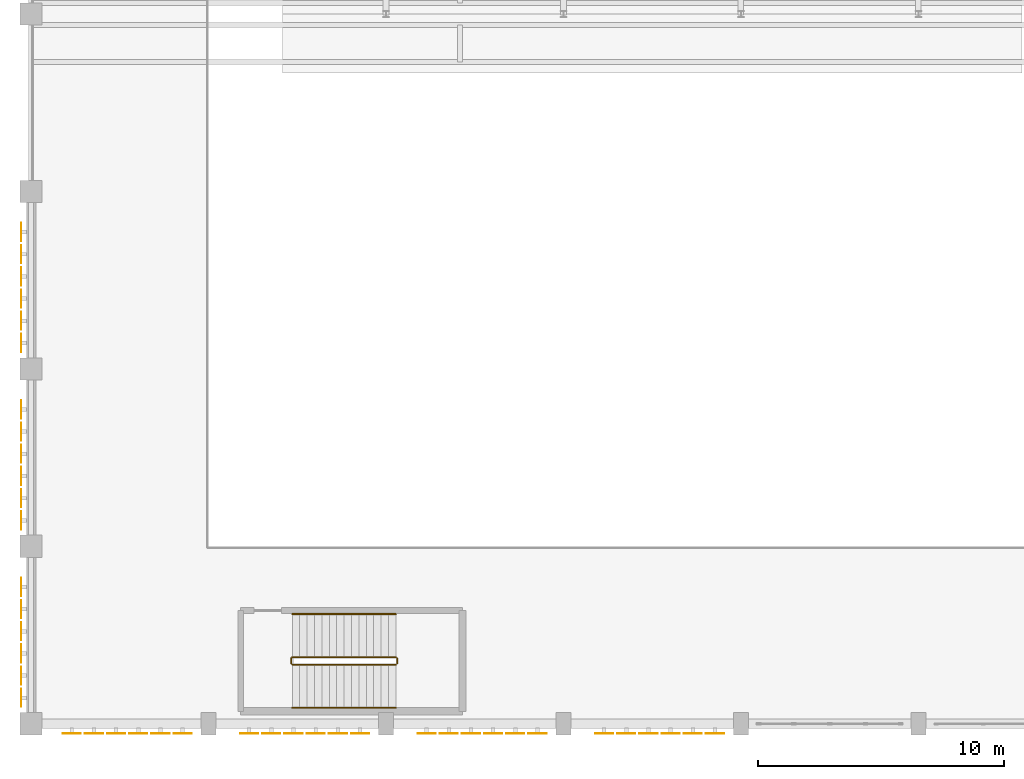
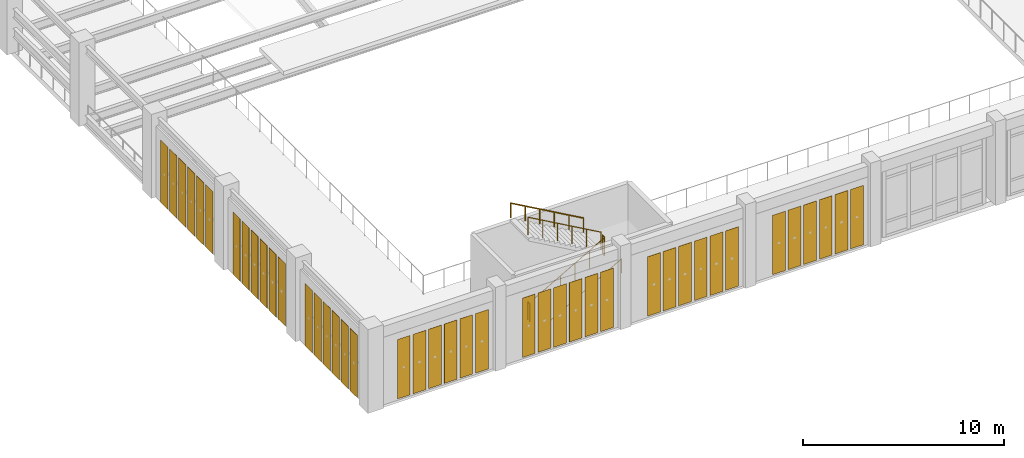
# One storey, part 100 of 117: 42 coverings, 6 railings.
"""IFC4 building model written with IfcOpenShell, lengths in metres."""

from ifc_helpers import new_model, si_unit, direction, frame, origin, origin_2d, place, context, subcontext, project, spatial, rectangle, circle, extrude, material, layer, layer_set, type_object, element, save


model = new_model("IFC4")

# Units and contexts
model_context = context("Model", 3, precision=1e-05, world=origin(), true_north=direction((0.0, 1.0)))
body_context = subcontext(model_context, "Body", "Model", "MODEL_VIEW")
ifc_project = project(units=[si_unit("LENGTHUNIT", "METRE"), si_unit("AREAUNIT", "SQUARE_METRE"), si_unit("VOLUMEUNIT", "CUBIC_METRE"), si_unit("PLANEANGLEUNIT", "RADIAN"), si_unit("MASSUNIT", "GRAM", prefix="KILO")], contexts=[model_context])

# Site, building, storey
site_placement = place(None, origin())
site = spatial("IfcSite", under=ifc_project, at=site_placement, CompositionType="ELEMENT")
building_placement = place(site_placement, origin())
building = spatial("IfcBuilding", under=site, at=building_placement, Name="Carrowvane Square Congress Hotel", CompositionType="ELEMENT")
storey_placement = place(building_placement, frame((0.0, 0.0, 5.39990234375)))
storey = spatial("IfcBuildingStorey", under=building, at=storey_placement, Name="L01", CompositionType="ELEMENT", Elevation=5.39990234375)

# Coverings
ifc_material_1 = material(Name="Champagne-gold anodised aluminium", Category="aluminium")
ifc_layer_1 = layer(ifc_material_1, 0.008056640625)
ifc_layer_set_1 = layer_set([ifc_layer_1], Name="Champagne-gold anodised aluminium")
covering_type = type_object("IfcCoveringType", Name="COV-SCR-GOLD8", PredefinedType="CLADDING", material=ifc_layer_set_1)
for number, where, z_axis, x_axis, name in (
    (1, (11.2060546875, 6.449951171875, 0.25), (0.0, 0.0, 1.0), (0.0, 1.0, 0.0), "Champagne-gold perforated screen panel 1"),
    (2, (11.2060546875, 7.35009765625, 0.25), (0.0, 0.0, 1.0), (0.0, 1.0, 0.0), "Champagne-gold perforated screen panel 2"),
    (3, (11.2060546875, 8.25, 0.25), (0.0, 0.0, 1.0), (0.0, 1.0, 0.0), "Champagne-gold perforated screen panel 3"),
    (4, (11.2060546875, 9.14990234375, 0.25), (0.0, 0.0, 1.0), (0.0, 1.0, 0.0), "Champagne-gold perforated screen panel 4"),
    (5, (11.2060546875, 10.050048828125, 0.25), (0.0, 0.0, 1.0), (0.0, 1.0, 0.0), "Champagne-gold perforated screen panel 5"),
    (6, (11.2060546875, 10.949951171875, 0.25), (0.0, 0.0, 1.0), (0.0, 1.0, 0.0), "Champagne-gold perforated screen panel 6"),
    (7, (11.2060546875, 13.64990234375, 0.25), (0.0, 0.0, 1.0), (0.0, 1.0, 0.0), "Champagne-gold perforated screen panel 7"),
    (8, (11.2060546875, 14.550048828125, 0.25), (0.0, 0.0, 1.0), (0.0, 1.0, 0.0), "Champagne-gold perforated screen panel 8"),
    (9, (11.2060546875, 15.449951171875, 0.25), (0.0, 0.0, 1.0), (0.0, 1.0, 0.0), "Champagne-gold perforated screen panel 9"),
    (10, (11.2060546875, 16.35009765625, 0.25), (0.0, 0.0, 1.0), (0.0, 1.0, 0.0), "Champagne-gold perforated screen panel 10"),
    (11, (11.2060546875, 17.25, 0.25), (0.0, 0.0, 1.0), (0.0, 1.0, 0.0), "Champagne-gold perforated screen panel 11"),
    (12, (11.2060546875, 18.14990234375, 0.25), (0.0, 0.0, 1.0), (0.0, 1.0, 0.0), "Champagne-gold perforated screen panel 12"),
    (13, (11.2060546875, 20.85009765625, 0.25), (0.0, 0.0, 1.0), (0.0, 1.0, 0.0), "Champagne-gold perforated screen panel 13"),
    (14, (11.2060546875, 21.75, 0.25), (0.0, 0.0, 1.0), (0.0, 1.0, 0.0), "Champagne-gold perforated screen panel 14"),
    (15, (11.2060546875, 22.64990234375, 0.25), (0.0, 0.0, 1.0), (0.0, 1.0, 0.0), "Champagne-gold perforated screen panel 15"),
    (16, (11.2060546875, 23.550048828125, 0.25), (0.0, 0.0, 1.0), (0.0, 1.0, 0.0), "Champagne-gold perforated screen panel 16"),
    (17, (11.2060546875, 24.449951171875, 0.25), (0.0, 0.0, 1.0), (0.0, 1.0, 0.0), "Champagne-gold perforated screen panel 17"),
    (18, (11.2060546875, 25.35009765625, 0.25), (0.0, 0.0, 1.0), (0.0, 1.0, 0.0), "Champagne-gold perforated screen panel 18"),
):
    element("IfcCovering", number, at=place(storey_placement, frame(where, z_axis=z_axis, x_axis=x_axis)), inside=storey, type_object=covering_type, Name=name, PredefinedType="CLADDING", context=body_context, shape_type="SweptSolid", body=[
        extrude(rectangle(XDim=0.738037109375, YDim=0.008056640625, at=origin_2d()), origin(), (0.0, 0.0, 1.0), 3.804931640625),
    ])
for number, where, z_axis, x_axis, name in (
    (19, (39.35009765625, 5.006103515625, 0.25), (0.0, 0.0, 1.0), (-1.0, 0.0, 0.0), "Champagne-gold perforated screen panel 19"),
    (20, (38.449951171875, 5.006103515625, 0.25), (0.0, 0.0, 1.0), (-1.0, 0.0, 0.0), "Champagne-gold perforated screen panel 20"),
    (21, (37.550048828125, 5.006103515625, 0.25), (0.0, 0.0, 1.0), (-1.0, 0.0, 0.0), "Champagne-gold perforated screen panel 21"),
    (22, (36.64990234375, 5.006103515625, 0.25), (0.0, 0.0, 1.0), (-1.0, 0.0, 0.0), "Champagne-gold perforated screen panel 22"),
    (23, (35.75, 5.006103515625, 0.25), (0.0, 0.0, 1.0), (-1.0, 0.0, 0.0), "Champagne-gold perforated screen panel 23"),
    (24, (34.85009765625, 5.006103515625, 0.25), (0.0, 0.0, 1.0), (-1.0, 0.0, 0.0), "Champagne-gold perforated screen panel 24"),
    (25, (32.14990234375, 5.006103515625, 0.25), (0.0, 0.0, 1.0), (-1.0, 0.0, 0.0), "Champagne-gold perforated screen panel 25"),
    (26, (31.25, 5.006103515625, 0.25), (0.0, 0.0, 1.0), (-1.0, 0.0, 0.0), "Champagne-gold perforated screen panel 26"),
    (27, (30.35009765625, 5.006103515625, 0.25), (0.0, 0.0, 1.0), (-1.0, 0.0, 0.0), "Champagne-gold perforated screen panel 27"),
    (28, (29.449951171875, 5.006103515625, 0.25), (0.0, 0.0, 1.0), (-1.0, 0.0, 0.0), "Champagne-gold perforated screen panel 28"),
    (29, (28.550048828125, 5.006103515625, 0.25), (0.0, 0.0, 1.0), (-1.0, 0.0, 0.0), "Champagne-gold perforated screen panel 29"),
    (30, (27.64990234375, 5.006103515625, 0.25), (0.0, 0.0, 1.0), (-1.0, 0.0, 0.0), "Champagne-gold perforated screen panel 30"),
    (31, (24.949951171875, 5.006103515625, 0.25), (0.0, 0.0, 1.0), (-1.0, 0.0, 0.0), "Champagne-gold perforated screen panel 31"),
    (32, (24.050048828125, 5.006103515625, 0.25), (0.0, 0.0, 1.0), (-1.0, 0.0, 0.0), "Champagne-gold perforated screen panel 32"),
    (33, (23.14990234375, 5.006103515625, 0.25), (0.0, 0.0, 1.0), (-1.0, 0.0, 0.0), "Champagne-gold perforated screen panel 33"),
    (34, (22.25, 5.006103515625, 0.25), (0.0, 0.0, 1.0), (-1.0, 0.0, 0.0), "Champagne-gold perforated screen panel 34"),
    (35, (21.35009765625, 5.006103515625, 0.25), (0.0, 0.0, 1.0), (-1.0, 0.0, 0.0), "Champagne-gold perforated screen panel 35"),
    (36, (20.449951171875, 5.006103515625, 0.25), (0.0, 0.0, 1.0), (-1.0, 0.0, 0.0), "Champagne-gold perforated screen panel 36"),
    (37, (17.75, 5.006103515625, 0.25), (0.0, 0.0, 1.0), (-1.0, 0.0, 0.0), "Champagne-gold perforated screen panel 37"),
    (38, (16.85009765625, 5.006103515625, 0.25), (0.0, 0.0, 1.0), (-1.0, 0.0, 0.0), "Champagne-gold perforated screen panel 38"),
    (39, (15.949951171875, 5.006103515625, 0.25), (0.0, 0.0, 1.0), (-1.0, 0.0, 0.0), "Champagne-gold perforated screen panel 39"),
    (40, (15.050048828125, 5.006103515625, 0.25), (0.0, 0.0, 1.0), (-1.0, 0.0, 0.0), "Champagne-gold perforated screen panel 40"),
    (41, (14.14990234375, 5.006103515625, 0.25), (0.0, 0.0, 1.0), (-1.0, 0.0, 0.0), "Champagne-gold perforated screen panel 41"),
    (42, (13.25, 5.006103515625, 0.25), (0.0, 0.0, 1.0), (-1.0, 0.0, 0.0), "Champagne-gold perforated screen panel 42"),
):
    element("IfcCovering", number, at=place(storey_placement, frame(where, z_axis=z_axis, x_axis=x_axis)), inside=storey, type_object=covering_type, Name=name, PredefinedType="CLADDING", context=body_context, shape_type="SweptSolid", body=[
        extrude(rectangle(XDim=0.738037109375, YDim=0.008056640625, at=origin_2d()), origin(), (0.0, 0.0, 1.0), 3.614990234375),
    ])

# Railings
ifc_material_2 = material(Name="Stainless steel 316", Category="steel")
ifc_layer_2 = layer(ifc_material_2, 0.048095703125)
ifc_layer_set_2 = layer_set([ifc_layer_2], Name="Stainless steel 316")
railing_type_1 = type_object("IfcRailingType", Name="RLG-HR-900", PredefinedType="HANDRAIL", material=ifc_layer_set_2)
railing_1_placement = place(storey_placement, frame((22.199951171875, 6.050048828125, 0.170166015625)))
element("IfcRailing", 43, at=railing_1_placement, inside=storey, type_object=railing_type_1, Name="L01 ST9 stair handrail 1", PredefinedType="HANDRAIL", context=body_context, shape_type="SweptSolid", body=[
    extrude(circle(Radius=0.02392578125, at=origin_2d()), frame((0.0, 0.0, 0.8759765625), z_axis=(0.870030139814, 0.0, 0.492998535308), x_axis=(0.0, 1.0, 0.0)), (0.0, 0.0, 1.0), 4.827392578125),
    extrude(circle(Radius=0.02099609375, at=origin_2d()), origin(), (0.0, 0.0, 1.0), 0.851806640625),
    extrude(circle(Radius=0.02099609375, at=origin_2d()), frame((0.840087890625, 0.0, 0.47607421875)), (0.0, 0.0, 1.0), 0.851806640625),
    extrude(circle(Radius=0.02099609375, at=origin_2d()), frame((1.679931640625, 0.0, 0.951904296875)), (0.0, 0.0, 1.0), 0.851806640625),
    extrude(circle(Radius=0.02099609375, at=origin_2d()), frame((2.52001953125, 0.0, 1.427978515625)), (0.0, 0.0, 1.0), 0.851806640625),
    extrude(circle(Radius=0.02099609375, at=origin_2d()), frame((3.35986328125, 0.0, 1.90380859375)), (0.0, 0.0, 1.0), 0.851806640625),
    extrude(circle(Radius=0.02099609375, at=origin_2d()), frame((4.199951171875, 0.0, 2.3798828125)), (0.0, 0.0, 1.0), 0.851806640625),
])
railing_2_placement = place(storey_placement, frame((26.39990234375, 9.85009765625, 2.72021484375)))
element("IfcRailing", 44, at=railing_2_placement, inside=storey, type_object=railing_type_1, Name="L01 ST9 stair handrail 2", PredefinedType="HANDRAIL", context=body_context, shape_type="SweptSolid", body=[
    extrude(circle(Radius=0.02392578125, at=origin_2d()), frame((0.0, 0.0, 0.8759765625), z_axis=(-0.870030139814, 0.0, 0.492998535308), x_axis=(0.0, -1.0, 0.0)), (0.0, 0.0, 1.0), 4.827392578125),
    extrude(circle(Radius=0.02099609375, at=origin_2d()), origin(), (0.0, 0.0, 1.0), 0.851806640625),
    extrude(circle(Radius=0.02099609375, at=origin_2d()), frame((-0.840087890625, 0.0, 0.47607421875)), (0.0, 0.0, 1.0), 0.851806640625),
    extrude(circle(Radius=0.02099609375, at=origin_2d()), frame((-1.679931640625, 0.0, 0.951904296875)), (0.0, 0.0, 1.0), 0.851806640625),
    extrude(circle(Radius=0.02099609375, at=origin_2d()), frame((-2.52001953125, 0.0, 1.427978515625)), (0.0, 0.0, 1.0), 0.851806640625),
    extrude(circle(Radius=0.02099609375, at=origin_2d()), frame((-3.35986328125, 0.0, 1.90380859375)), (0.0, 0.0, 1.0), 0.851806640625),
    extrude(circle(Radius=0.02099609375, at=origin_2d()), frame((-4.199951171875, 0.0, 2.3798828125)), (0.0, 0.0, 1.0), 0.851806640625),
])
ifc_material_3 = material(Name="Galvanised steel", Category="steel")
ifc_layer_3 = layer(ifc_material_3, 0.048095703125)
ifc_layer_set_3 = layer_set([ifc_layer_3], Name="Galvanised steel")
railing_type_2 = type_object("IfcRailingType", Name="RLG-STG-1100", PredefinedType="GUARDRAIL", material=ifc_layer_set_3)
railing_3_placement = place(storey_placement, frame((22.199951171875, 7.800048828125, 0.170166015625)))
element("IfcRailing", 45, at=railing_3_placement, inside=storey, type_object=railing_type_2, Name="L01 ST9 stair guard 1", PredefinedType="GUARDRAIL", context=body_context, shape_type="SweptSolid", body=[
    extrude(circle(Radius=0.02392578125, at=origin_2d()), frame((0.0, 0.0, 1.076171875), z_axis=(0.870030139814, 0.0, 0.492998535308), x_axis=(0.0, 1.0, 0.0)), (0.0, 0.0, 1.0), 4.827392578125),
    extrude(circle(Radius=0.02099609375, at=origin_2d()), origin(), (0.0, 0.0, 1.0), 1.052001953125),
    extrude(circle(Radius=0.02099609375, at=origin_2d()), frame((0.840087890625, 0.0, 0.47607421875)), (0.0, 0.0, 1.0), 1.052001953125),
    extrude(circle(Radius=0.02099609375, at=origin_2d()), frame((1.679931640625, 0.0, 0.951904296875)), (0.0, 0.0, 1.0), 1.052001953125),
    extrude(circle(Radius=0.02099609375, at=origin_2d()), frame((2.52001953125, 0.0, 1.427978515625)), (0.0, 0.0, 1.0), 1.052001953125),
    extrude(circle(Radius=0.02099609375, at=origin_2d()), frame((3.35986328125, 0.0, 1.90380859375)), (0.0, 0.0, 1.0), 1.052001953125),
    extrude(circle(Radius=0.02099609375, at=origin_2d()), frame((4.199951171875, 0.0, 2.3798828125)), (0.0, 0.0, 1.0), 1.052001953125),
])
railing_4_placement = place(storey_placement, frame((26.449951171875, 7.85009765625, 2.550048828125)))
element("IfcRailing", 46, at=railing_4_placement, inside=storey, type_object=railing_type_2, Name="L01 ST9 stair guard 2", PredefinedType="GUARDRAIL", context=body_context, shape_type="SweptSolid", body=[
    extrude(circle(Radius=0.02392578125, at=origin_2d()), frame((0.0, 0.0, 1.076171875), z_axis=(0.0, 1.0, 0.0), x_axis=(-1.0, 0.0, 0.0)), (0.0, 0.0, 1.0), 0.199951171875),
    extrude(circle(Radius=0.02099609375, at=origin_2d()), origin(), (0.0, 0.0, 1.0), 1.052001953125),
    extrude(circle(Radius=0.02099609375, at=origin_2d()), frame((0.0, 0.199951171875, 0.0)), (0.0, 0.0, 1.0), 1.052001953125),
])
railing_5_placement = place(storey_placement, frame((26.39990234375, 8.10009765625, 2.72021484375)))
element("IfcRailing", 47, at=railing_5_placement, inside=storey, type_object=railing_type_2, Name="L01 ST9 stair guard 3", PredefinedType="GUARDRAIL", context=body_context, shape_type="SweptSolid", body=[
    extrude(circle(Radius=0.02392578125, at=origin_2d()), frame((0.0, 0.0, 1.076171875), z_axis=(-0.870030139814, 0.0, 0.492998535308), x_axis=(0.0, -1.0, 0.0)), (0.0, 0.0, 1.0), 4.827392578125),
    extrude(circle(Radius=0.02099609375, at=origin_2d()), origin(), (0.0, 0.0, 1.0), 1.052001953125),
    extrude(circle(Radius=0.02099609375, at=origin_2d()), frame((-0.840087890625, 0.0, 0.47607421875)), (0.0, 0.0, 1.0), 1.052001953125),
    extrude(circle(Radius=0.02099609375, at=origin_2d()), frame((-1.679931640625, 0.0, 0.951904296875)), (0.0, 0.0, 1.0), 1.052001953125),
    extrude(circle(Radius=0.02099609375, at=origin_2d()), frame((-2.52001953125, 0.0, 1.427978515625)), (0.0, 0.0, 1.0), 1.052001953125),
    extrude(circle(Radius=0.02099609375, at=origin_2d()), frame((-3.35986328125, 0.0, 1.90380859375)), (0.0, 0.0, 1.0), 1.052001953125),
    extrude(circle(Radius=0.02099609375, at=origin_2d()), frame((-4.199951171875, 0.0, 2.3798828125)), (0.0, 0.0, 1.0), 1.052001953125),
])
railing_6_placement = place(storey_placement, frame((22.14990234375, 7.85009765625, 0.0)))
element("IfcRailing", 48, at=railing_6_placement, inside=storey, type_object=railing_type_2, Name="L01 ST9 stair guard 4", PredefinedType="GUARDRAIL", context=body_context, shape_type="SweptSolid", body=[
    extrude(circle(Radius=0.02392578125, at=origin_2d()), frame((0.0, 0.0, 1.076171875), z_axis=(0.0, 1.0, 0.0), x_axis=(-1.0, 0.0, 0.0)), (0.0, 0.0, 1.0), 0.199951171875),
    extrude(circle(Radius=0.02099609375, at=origin_2d()), origin(), (0.0, 0.0, 1.0), 1.052001953125),
    extrude(circle(Radius=0.02099609375, at=origin_2d()), frame((0.0, 0.199951171875, 0.0)), (0.0, 0.0, 1.0), 1.052001953125),
])

save(model, "model.ifc")
